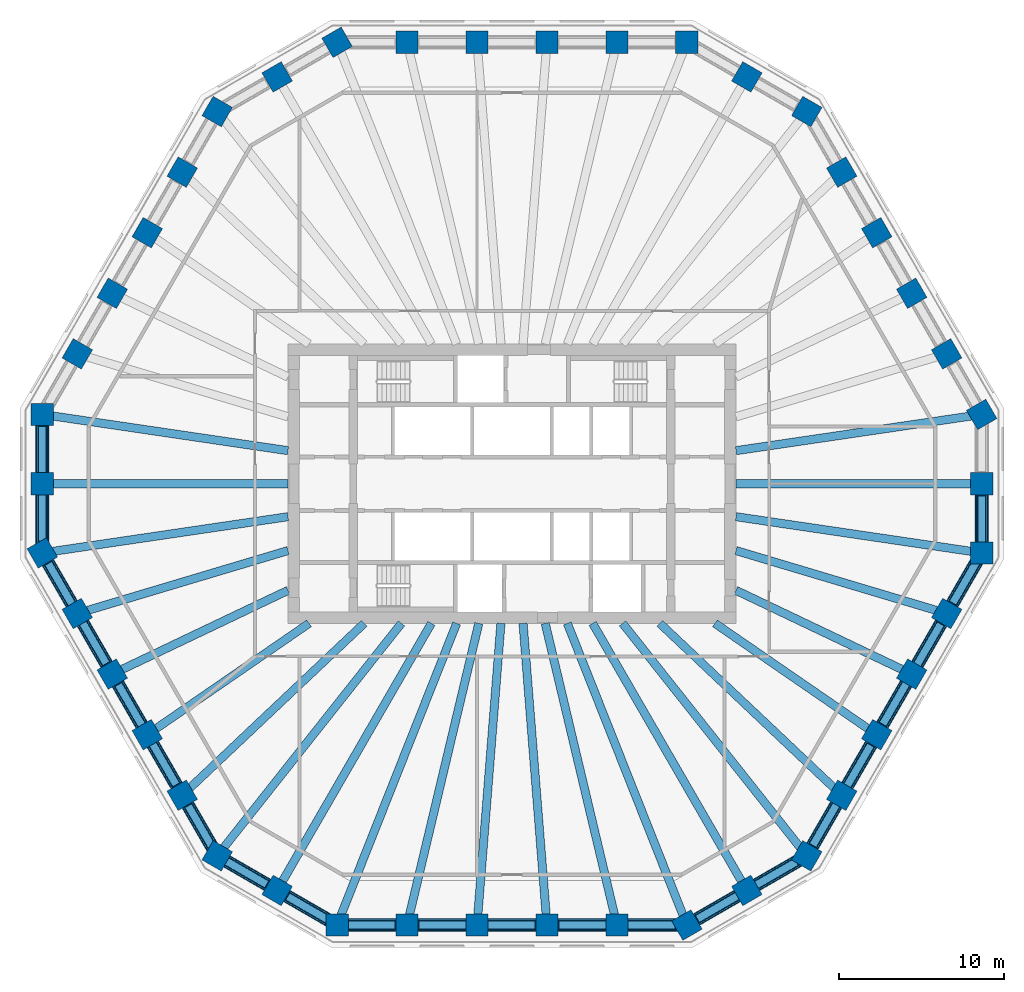
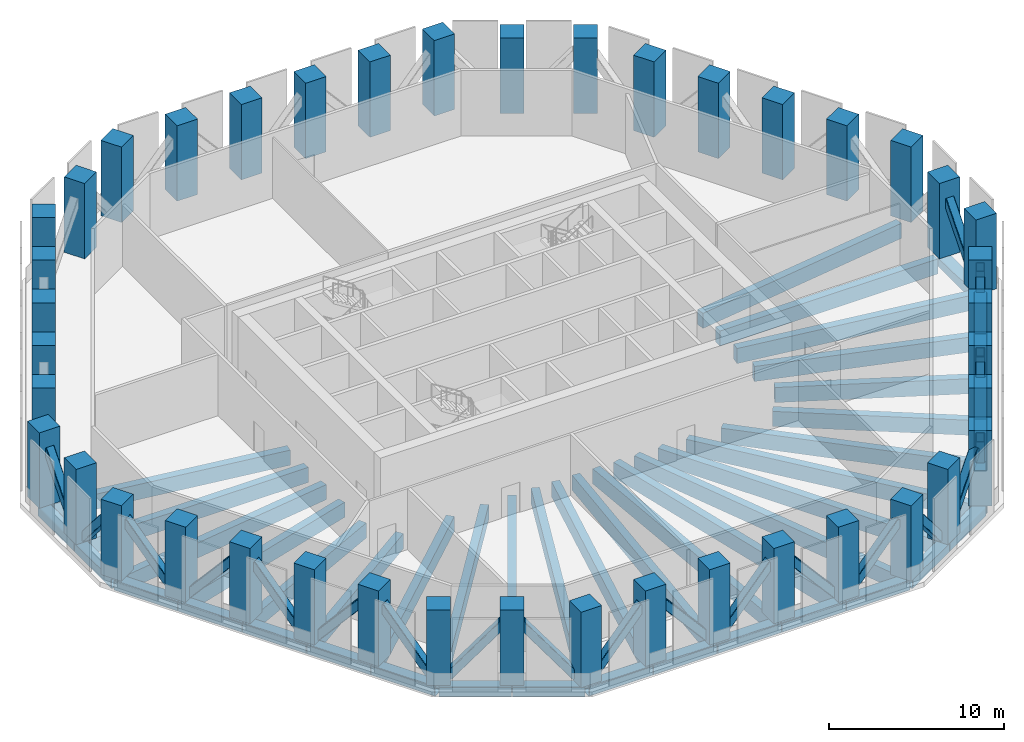
# One storey, part 1 of 8: 46 beams, 42 columns, 22 members.
"""IFC4 building model written with IfcOpenShell, lengths in metres."""

import ifcopenshell
import ifcopenshell.guid

model = None  # the IFC model being written
_history = None  # IfcOwnerHistory: only IFC2X3 demands one
_inside = {}  # id of a spatial element -> (the spatial element, [elements in it])
_under = {}  # id of a project, library or spatial element -> (it, [spatial elements below it])
_declared = {}  # id of a project -> (the project, [libraries it declares])
_typed = {}  # id of a type object -> (the type object, [elements of that type])
_made_of = {}  # id of a material, layer set ... -> (it, [elements and type objects made of it])


def new_model(schema):
    """Start an empty IFC model of exactly this schema.

    Asked for "IFC4X3", IfcOpenShell would pick the latest addendum, in which some entities
    have other attributes; the version numbers below select the first issue.
    IFC2X3 requires an IfcOwnerHistory on every rooted entity: one is made here for all.
    """
    global model, _history
    if schema == "IFC4X3":
        model = ifcopenshell.file(schema_version=(4, 3, 0, 0))
    else:
        model = ifcopenshell.file(schema=schema)
    _inside.clear()
    _under.clear()
    _declared.clear()
    _typed.clear()
    _made_of.clear()
    _history = None
    if model.schema == "IFC2X3":
        org = make("IfcOrganization", Name="unknown")
        user = make(
            "IfcPersonAndOrganization",
            ThePerson=make("IfcPerson", FamilyName="unknown"),
            TheOrganization=org,
        )
        app = make(
            "IfcApplication",
            ApplicationDeveloper=org,
            Version="unknown",
            ApplicationFullName="unknown",
            ApplicationIdentifier="unknown",
        )
        _history = make(
            "IfcOwnerHistory",
            OwningUser=user,
            OwningApplication=app,
            ChangeAction="ADDED",
            CreationDate=0,
        )
    return model


def make(cls, **values):
    """One entity of the class cls with the attributes given. An attribute that is None is left unset."""
    return model.create_entity(
        cls, **{name: value for name, value in values.items() if value is not None}
    )


def rooted(cls, **values):
    """An entity with a GlobalId (a new one), such as an element, a storey or a relation."""
    return make(cls, GlobalId=ifcopenshell.guid.new(), OwnerHistory=_history, **values)


def si_unit(unit_type, name, prefix=None):
    """IfcSIUnit, for example si_unit("LENGTHUNIT", "METRE", prefix="MILLI")."""
    return make("IfcSIUnit", UnitType=unit_type, Prefix=prefix, Name=name)


def assignment(units):
    """IfcUnitAssignment: the units of a project."""
    return None if units is None else make("IfcUnitAssignment", Units=units)


def point(xyz):
    """IfcCartesianPoint."""
    return None if xyz is None else make("IfcCartesianPoint", Coordinates=xyz)


def direction(xyz):
    """IfcDirection."""
    return None if xyz is None else make("IfcDirection", DirectionRatios=xyz)


def frame(location, z_axis=None, x_axis=None):
    """IfcAxis2Placement3D, a coordinate frame: its origin and axes. An axis left out is left unset."""
    return make(
        "IfcAxis2Placement3D",
        Location=point(location),
        Axis=direction(z_axis),
        RefDirection=direction(x_axis),
    )


def frame_2d(location, x_axis=None):
    """IfcAxis2Placement2D, a coordinate frame in the plane: its origin and x axis."""
    return make(
        "IfcAxis2Placement2D", Location=point(location), RefDirection=direction(x_axis)
    )


def origin():
    """The frame at (0, 0, 0) with its axes left unset."""
    return frame((0.0, 0.0, 0.0))


def origin_2d():
    """The frame at (0, 0) in the plane with its x axis left unset."""
    return frame_2d((0.0, 0.0))


def place(relative_to, where):
    """IfcLocalPlacement: puts the frame where relative to a parent placement (None: the world)."""
    return make(
        "IfcLocalPlacement", PlacementRelTo=relative_to, RelativePlacement=where
    )


def context(
    kind, dimensions, precision=None, world=None, true_north=None, identifier=None
):
    """IfcGeometricRepresentationContext, for example the 3D "Model" context."""
    return make(
        "IfcGeometricRepresentationContext",
        ContextIdentifier=identifier,
        ContextType=kind,
        CoordinateSpaceDimension=dimensions,
        Precision=precision,
        WorldCoordinateSystem=world,
        TrueNorth=true_north,
    )


def subcontext(parent, identifier, kind, view, scale=None):
    """IfcGeometricRepresentationSubContext, for example "Body" below "Model"."""
    return make(
        "IfcGeometricRepresentationSubContext",
        ContextIdentifier=identifier,
        ContextType=kind,
        ParentContext=parent,
        TargetScale=scale,
        TargetView=view,
    )


def project(units=None, contexts=None):
    """IfcProject with its units and contexts."""
    return rooted(
        "IfcProject",
        Name="project",
        RepresentationContexts=contexts,
        UnitsInContext=assignment(units),
    )


def spatial(cls, under=None, at=None, **own):
    """A site, building, storey or space (cls), placed at a placement, below another one or the project."""
    s = rooted(cls, ObjectPlacement=at, **own)
    if under is not None:
        _under.setdefault(under.id(), (under, []))[1].append(s)
    return s


def profile(cls, at=None, kind="AREA", **sizes):
    """A parametric profile (cls). Its sizes go by their IFC names, for example OverallWidth=200.0."""
    return make(cls, ProfileType=kind, Position=at, **sizes)


def rectangle(**sizes):
    """IfcRectangleProfileDef."""
    return profile("IfcRectangleProfileDef", **sizes)


def hollow_rectangle(**sizes):
    """IfcRectangleHollowProfileDef."""
    return profile("IfcRectangleHollowProfileDef", **sizes)


def extrude(swept, where, along, depth):
    """IfcExtrudedAreaSolid: the profile swept, set in the frame where, extruded along a direction by depth."""
    return make(
        "IfcExtrudedAreaSolid",
        SweptArea=swept,
        Position=where,
        ExtrudedDirection=direction(along),
        Depth=depth,
    )


def shape(context_of_items, identifier, shape_type, items):
    """IfcShapeRepresentation: the items that make up one representation, for example the "Body"."""
    return make(
        "IfcShapeRepresentation",
        ContextOfItems=context_of_items,
        RepresentationIdentifier=identifier,
        RepresentationType=shape_type,
        Items=items,
    )


def material(Name=None, Category=None):
    """IfcMaterial."""
    return make("IfcMaterial", Name=Name, Category=Category)


def material_profile(
    of_material, cross_section, Name=None, Category=None, Priority=None
):
    """IfcMaterialProfile: a cross section and its material."""
    return make(
        "IfcMaterialProfile",
        Name=Name,
        Material=of_material,
        Profile=cross_section,
        Priority=Priority,
        Category=Category,
    )


def profile_set(profiles, Name=None, composite=None):
    """IfcMaterialProfileSet."""
    return make(
        "IfcMaterialProfileSet",
        Name=Name,
        MaterialProfiles=profiles,
        CompositeProfile=composite,
    )


def made_of(thing, what):
    """Note that an element or type object is made of a material, layer set ...; save() writes the relation."""
    if what is not None:
        _made_of.setdefault(what.id(), (what, []))[1].append(thing)
    return thing


def type_object(cls, material=None, **own):
    """A type object (cls), such as IfcWallType, which elements share."""
    return made_of(rooted(cls, **own), material)


def element(
    cls,
    number,
    at=None,
    inside=None,
    cuts=None,
    type_object=None,
    material=None,
    context=None,
    identifier="Body",
    shape_type=None,
    held_by="IfcProductDefinitionShape",
    body=None,
    shapes=None,
    **own,
):
    """One element of the class cls, such as IfcWall. Its Tag is "e" and its number.

    at: its placement. inside: the storey or other place that contains it. cuts: it is an
    opening in that element (IfcRelVoidsElement). A single representation is given by context,
    identifier, shape_type and body (its items); several are given by shapes. held_by: the class
    of the entity that holds the representations. save() writes the other relations.
    """
    e = rooted(cls, Tag="e%d" % number, ObjectPlacement=at, **own)
    if body is not None:
        shapes = [shape(context, identifier, shape_type, body)]
    if shapes is not None:
        e.Representation = make(held_by, Representations=shapes)
    if inside is not None:
        _inside.setdefault(inside.id(), (inside, []))[1].append(e)
    if cuts is not None:
        rooted(
            "IfcRelVoidsElement", RelatingBuildingElement=cuts, RelatedOpeningElement=e
        )
    if type_object is not None:
        _typed.setdefault(type_object.id(), (type_object, []))[1].append(e)
    return made_of(e, material)


def aggregate(whole, parts):
    """IfcRelAggregates: a whole, such as a stair, and the parts it consists of."""
    return rooted("IfcRelAggregates", RelatingObject=whole, RelatedObjects=parts)


def save(model, path):
    """Write the relations noted so far, then the file.

    IfcRelAggregates (storeys below a building ...), IfcRelContainedInSpatialStructure (elements
    in a storey), IfcRelDefinesByType, IfcRelAssociatesMaterial and IfcRelDeclares: one each for
    every whole, place, type object, material and project.
    """
    for whole, parts in _under.values():
        aggregate(whole, parts)
    for where, things in _inside.values():
        rooted(
            "IfcRelContainedInSpatialStructure",
            RelatedElements=things,
            RelatingStructure=where,
        )
    for kind, things in _typed.values():
        rooted("IfcRelDefinesByType", RelatedObjects=things, RelatingType=kind)
    for what, things in _made_of.values():
        rooted("IfcRelAssociatesMaterial", RelatedObjects=things, RelatingMaterial=what)
    for by, libraries in _declared.values():
        rooted("IfcRelDeclares", RelatingContext=by, RelatedDefinitions=libraries)
    model.write(path)


model = new_model("IFC4")

# Units and contexts
model_context = context("Model", 3, precision=1e-05, world=origin(), true_north=direction((0.0, 1.0)))
body_context = subcontext(model_context, "Body", "Model", "MODEL_VIEW")
ifc_project = project(units=[si_unit("LENGTHUNIT", "METRE"), si_unit("AREAUNIT", "SQUARE_METRE"), si_unit("VOLUMEUNIT", "CUBIC_METRE"), si_unit("PLANEANGLEUNIT", "RADIAN"), si_unit("MASSUNIT", "GRAM", prefix="KILO")], contexts=[model_context])

# Site, building, storey
site_placement = place(None, origin())
site = spatial("IfcSite", under=ifc_project, at=site_placement, CompositionType="ELEMENT")
building_placement = place(site_placement, origin())
building = spatial("IfcBuilding", under=site, at=building_placement, Name="Frailejon Research Tower", CompositionType="ELEMENT")
storey_placement = place(building_placement, frame((0.0, 0.0, 139.60009765625)))
storey = spatial("IfcBuildingStorey", under=building, at=storey_placement, Name="L30", CompositionType="ELEMENT", Elevation=139.60009765625)

# Columns
ifc_material_1 = material(Name="Concrete C70/85", Category="concrete")
ifc_material_profile_1 = material_profile(ifc_material_1, rectangle(XDim=1.35009765625, YDim=1.35009765625, at=origin_2d()), Name="Column 1350")
ifc_profile_set_1 = profile_set([ifc_material_profile_1], Name="Concrete C70/85")
column_type = type_object("IfcColumnType", Name="Column 1350", PredefinedType="COLUMN", material=ifc_profile_set_1)
for number, where, z_axis, x_axis, name in (
    (1, (28.412841796875, -4.1875, 0.0), (0.0, 0.0, 1.0), (0.0, 1.0, 0.0), "Column C01"),
    (2, (28.412841796875, 0.0, 0.0), (0.0, 0.0, 1.0), (0.0, 1.0, 0.0), "Column C02"),
    (3, (28.412841796875, 4.1875, 0.0), (0.0, 0.0, 1.0), (-0.5, 0.866025403784, 0.0), "Column C03"),
    (4, (26.296875, 7.8525390625, 0.0), (0.0, 0.0, 1.0), (-0.5, 0.866025403784, 0.0), "Column C04"),
    (5, (24.180908203125, 11.517578125, 0.0), (0.0, 0.0, 1.0), (-0.5, 0.866025403784, 0.0), "Column C05"),
    (6, (22.06494140625, 15.1826171875, 0.0), (0.0, 0.0, 1.0), (-0.5, 0.866025403784, 0.0), "Column C06"),
    (7, (19.948974609375, 18.847412109375, 0.0), (0.0, 0.0, 1.0), (-0.5, 0.866025403784, 0.0), "Column C07"),
    (8, (17.8330078125, 22.512451171875, 0.0), (0.0, 0.0, 1.0), (-0.866025403784, 0.5, 0.0), "Column C08"),
    (9, (14.206298828125, 24.606201171875, 0.0), (0.0, 0.0, 1.0), (-0.866025403784, 0.5, 0.0), "Column C09"),
    (10, (10.579833984375, 26.699951171875, 0.0), (0.0, 0.0, 1.0), (-1.0, 0.0, 0.0), "Column C10"),
    (11, (6.347900390625, 26.699951171875, 0.0), (0.0, 0.0, 1.0), (-1.0, 0.0, 0.0), "Column C11"),
    (12, (2.115966796875, 26.699951171875, 0.0), (0.0, 0.0, 1.0), (-1.0, 0.0, 0.0), "Column C12"),
    (13, (-2.115966796875, 26.699951171875, 0.0), (0.0, 0.0, 1.0), (-1.0, 0.0, 0.0), "Column C13"),
    (14, (-6.347900390625, 26.699951171875, 0.0), (0.0, 0.0, 1.0), (-1.0, 0.0, 0.0), "Column C14"),
    (15, (-10.579833984375, 26.699951171875, 0.0), (0.0, 0.0, 1.0), (-0.866025403784, -0.5, 0.0), "Column C15"),
    (16, (-14.206298828125, 24.606201171875, 0.0), (0.0, 0.0, 1.0), (-0.866025403784, -0.5, 0.0), "Column C16"),
    (17, (-17.8330078125, 22.512451171875, 0.0), (0.0, 0.0, 1.0), (-0.5, -0.866025403784, 0.0), "Column C17"),
    (18, (-19.948974609375, 18.847412109375, 0.0), (0.0, 0.0, 1.0), (-0.5, -0.866025403784, 0.0), "Column C18"),
    (19, (-22.06494140625, 15.1826171875, 0.0), (0.0, 0.0, 1.0), (-0.5, -0.866025403784, 0.0), "Column C19"),
    (20, (-24.180908203125, 11.517578125, 0.0), (0.0, 0.0, 1.0), (-0.5, -0.866025403784, 0.0), "Column C20"),
    (21, (-26.296875, 7.8525390625, 0.0), (0.0, 0.0, 1.0), (-0.5, -0.866025403784, 0.0), "Column C21"),
    (22, (-28.412841796875, 4.1875, 0.0), (0.0, 0.0, 1.0), (0.0, -1.0, 0.0), "Column C22"),
    (23, (-28.412841796875, 0.0, 0.0), (0.0, 0.0, 1.0), (0.0, -1.0, 0.0), "Column C23"),
    (24, (-28.412841796875, -4.1875, 0.0), (0.0, 0.0, 1.0), (0.5, -0.866025403784, 0.0), "Column C24"),
    (25, (-26.296875, -7.8525390625, 0.0), (0.0, 0.0, 1.0), (0.5, -0.866025403784, 0.0), "Column C25"),
    (26, (-24.180908203125, -11.517578125, 0.0), (0.0, 0.0, 1.0), (0.5, -0.866025403784, 0.0), "Column C26"),
    (27, (-22.06494140625, -15.1826171875, 0.0), (0.0, 0.0, 1.0), (0.5, -0.866025403784, 0.0), "Column C27"),
    (28, (-19.948974609375, -18.847412109375, 0.0), (0.0, 0.0, 1.0), (0.5, -0.866025403784, 0.0), "Column C28"),
    (29, (-17.8330078125, -22.512451171875, 0.0), (0.0, 0.0, 1.0), (0.866025403784, -0.5, 0.0), "Column C29"),
    (30, (-14.206298828125, -24.606201171875, 0.0), (0.0, 0.0, 1.0), (0.866025403784, -0.5, 0.0), "Column C30"),
    (31, (-10.579833984375, -26.699951171875, 0.0), (0.0, 0.0, 1.0), (1.0, 0.0, 0.0), "Column C31"),
    (32, (-6.347900390625, -26.699951171875, 0.0), (0.0, 0.0, 1.0), (1.0, 0.0, 0.0), "Column C32"),
    (33, (-2.115966796875, -26.699951171875, 0.0), (0.0, 0.0, 1.0), (1.0, 0.0, 0.0), "Column C33"),
    (34, (2.115966796875, -26.699951171875, 0.0), (0.0, 0.0, 1.0), (1.0, 0.0, 0.0), "Column C34"),
    (35, (6.347900390625, -26.699951171875, 0.0), (0.0, 0.0, 1.0), (1.0, 0.0, 0.0), "Column C35"),
    (36, (10.579833984375, -26.699951171875, 0.0), (0.0, 0.0, 1.0), (0.866025403784, 0.5, 0.0), "Column C36"),
    (37, (14.206298828125, -24.606201171875, 0.0), (0.0, 0.0, 1.0), (0.866025403784, 0.5, 0.0), "Column C37"),
    (38, (17.8330078125, -22.512451171875, 0.0), (0.0, 0.0, 1.0), (0.5, 0.866025403784, 0.0), "Column C38"),
    (39, (19.948974609375, -18.847412109375, 0.0), (0.0, 0.0, 1.0), (0.5, 0.866025403784, 0.0), "Column C39"),
    (40, (22.06494140625, -15.1826171875, 0.0), (0.0, 0.0, 1.0), (0.5, 0.866025403784, 0.0), "Column C40"),
    (41, (24.180908203125, -11.517578125, 0.0), (0.0, 0.0, 1.0), (0.5, 0.866025403784, 0.0), "Column C41"),
    (42, (26.296875, -7.8525390625, 0.0), (0.0, 0.0, 1.0), (0.5, 0.866025403784, 0.0), "Column C42"),
):
    element("IfcColumn", number, at=place(storey_placement, frame(where, z_axis=z_axis, x_axis=x_axis)), inside=storey, type_object=column_type, Name=name, PredefinedType="COLUMN", context=body_context, shape_type="SweptSolid", body=[
        extrude(rectangle(XDim=1.35009765625, YDim=1.35009765625, at=origin_2d()), origin(), (0.0, 0.0, 1.0), 5.25),
    ])

# Beams
ifc_material_2 = material(Name="Concrete C60/75", Category="concrete")
ifc_material_profile_2 = material_profile(ifc_material_2, rectangle(XDim=0.5, YDim=1.050048828125, at=origin_2d()), Name="Girder 500x1050")
ifc_profile_set_2 = profile_set([ifc_material_profile_2], Name="Concrete C60/75")
beam_type_1 = type_object("IfcBeamType", Name="Girder 500x1050", PredefinedType="BEAM", material=ifc_profile_set_2)
beam_1_placement = place(storey_placement, frame((27.88623046875, -4.110107421875, -0.8251953125), z_axis=(-0.989311649696, 0.145816527786, 0.0), x_axis=(-0.145816527786, -0.989311649696, 0.0)))
element("IfcBeam", 43, at=beam_1_placement, inside=storey, type_object=beam_type_1, Name="Girder 500x1050", PredefinedType="BEAM", context=body_context, shape_type="SweptSolid", body=[
    extrude(rectangle(XDim=0.5, YDim=1.050048828125, at=origin_2d()), origin(), (0.0, 0.0, 1.0), 14.490966796875),
])
beam_2_placement = place(storey_placement, frame((27.8876953125, 0.0, -0.8251953125), z_axis=(-1.0, 0.0, 0.0), x_axis=(0.0, -1.0, 0.0)))
element("IfcBeam", 44, at=beam_2_placement, inside=storey, type_object=beam_type_1, Name="Girder 500x1050", PredefinedType="BEAM", context=body_context, shape_type="SweptSolid", body=[
    extrude(rectangle(XDim=0.5, YDim=1.050048828125, at=origin_2d()), origin(), (0.0, 0.0, 1.0), 14.337646484375),
])
beam_3_placement = place(storey_placement, frame((27.843017578125, 4.103515625, -0.8251953125), z_axis=(-0.989313871927, -0.145801449969, 0.0), x_axis=(0.145801449969, -0.989313871927, 0.0)))
element("IfcBeam", 45, at=beam_3_placement, inside=storey, type_object=beam_type_1, Name="Girder 500x1050", PredefinedType="BEAM", context=body_context, shape_type="SweptSolid", body=[
    extrude(rectangle(XDim=0.5, YDim=1.050048828125, at=origin_2d()), origin(), (0.0, 0.0, 1.0), 14.447265625),
])
beam_4_placement = place(storey_placement, frame((-27.88623046875, 4.110107421875, -0.8251953125), z_axis=(0.989311649696, -0.145816527786, 0.0), x_axis=(0.145816527786, 0.989311649696, 0.0)))
element("IfcBeam", 46, at=beam_4_placement, inside=storey, type_object=beam_type_1, Name="Girder 500x1050", PredefinedType="BEAM", context=body_context, shape_type="SweptSolid", body=[
    extrude(rectangle(XDim=0.5, YDim=1.050048828125, at=origin_2d()), origin(), (0.0, 0.0, 1.0), 14.490966796875),
])
beam_5_placement = place(storey_placement, frame((-27.8876953125, 0.0, -0.8251953125), z_axis=(1.0, 0.0, 0.0), x_axis=(0.0, 1.0, 0.0)))
element("IfcBeam", 47, at=beam_5_placement, inside=storey, type_object=beam_type_1, Name="Girder 500x1050", PredefinedType="BEAM", context=body_context, shape_type="SweptSolid", body=[
    extrude(rectangle(XDim=0.5, YDim=1.050048828125, at=origin_2d()), origin(), (0.0, 0.0, 1.0), 14.337646484375),
])
beam_6_placement = place(storey_placement, frame((-27.843017578125, -4.103515625, -0.8251953125), z_axis=(0.989313871927, 0.145801449969, 0.0), x_axis=(-0.145801449969, 0.989313871927, 0.0)))
element("IfcBeam", 48, at=beam_6_placement, inside=storey, type_object=beam_type_1, Name="Girder 500x1050", PredefinedType="BEAM", context=body_context, shape_type="SweptSolid", body=[
    extrude(rectangle(XDim=0.5, YDim=1.050048828125, at=origin_2d()), origin(), (0.0, 0.0, 1.0), 14.447265625),
])
beam_7_placement = place(storey_placement, frame((-25.775634765625, -7.697021484375, -0.8251953125), z_axis=(0.9581878537, 0.286139890651, 0.0), x_axis=(-0.286139890651, 0.9581878537, 0.0)))
element("IfcBeam", 49, at=beam_7_placement, inside=storey, type_object=beam_type_1, Name="Girder 500x1050", PredefinedType="BEAM", context=body_context, shape_type="SweptSolid", body=[
    extrude(rectangle(XDim=0.5, YDim=1.050048828125, at=origin_2d()), origin(), (0.0, 0.0, 1.0), 12.759033203125),
])
beam_8_placement = place(storey_placement, frame((-23.705078125, -11.290771484375, -0.8251953125), z_axis=(0.902819592178, 0.430019515813, 0.0), x_axis=(-0.430019515813, 0.902819592178, 0.0)))
element("IfcBeam", 50, at=beam_8_placement, inside=storey, type_object=beam_type_1, Name="Girder 500x1050", PredefinedType="BEAM", context=body_context, shape_type="SweptSolid", body=[
    extrude(rectangle(XDim=0.5, YDim=1.050048828125, at=origin_2d()), origin(), (0.0, 0.0, 1.0), 11.248046875),
])
beam_9_placement = place(storey_placement, frame((-21.630615234375, -14.8837890625, -0.8251953125), z_axis=(0.82380963272, 0.566866553112, 0.0), x_axis=(-0.566866553112, 0.82380963272, 0.0)))
element("IfcBeam", 51, at=beam_9_placement, inside=storey, type_object=beam_type_1, Name="Girder 500x1050", PredefinedType="BEAM", context=body_context, shape_type="SweptSolid", body=[
    extrude(rectangle(XDim=0.5, YDim=1.050048828125, at=origin_2d()), origin(), (0.0, 0.0, 1.0), 11.349853515625),
])
beam_10_placement = place(storey_placement, frame((-19.5537109375, -18.47412109375, -0.8251953125), z_axis=(0.726885115271, 0.686759076531, 0.0), x_axis=(-0.686759076531, 0.726885115271, 0.0)))
element("IfcBeam", 52, at=beam_10_placement, inside=storey, type_object=beam_type_1, Name="Girder 500x1050", PredefinedType="BEAM", context=body_context, shape_type="SweptSolid", body=[
    extrude(rectangle(XDim=0.5, YDim=1.050048828125, at=origin_2d()), origin(), (0.0, 0.0, 1.0), 14.596435546875),
])
beam_11_placement = place(storey_placement, frame((-17.50244140625, -22.09521484375, -0.8251953125), z_axis=(0.620926719601, 0.783868617107, 0.0), x_axis=(-0.783868617107, 0.620926719601, 0.0)))
element("IfcBeam", 53, at=beam_11_placement, inside=storey, type_object=beam_type_1, Name="Girder 500x1050", PredefinedType="BEAM", context=body_context, shape_type="SweptSolid", body=[
    extrude(rectangle(XDim=0.5, YDim=1.050048828125, at=origin_2d()), origin(), (0.0, 0.0, 1.0), 17.407470703125),
])
beam_12_placement = place(storey_placement, frame((-13.94384765625, -24.151611328125, -0.8251953125), z_axis=(0.499992877875, 0.866029515706, 0.0), x_axis=(-0.866029515706, 0.499992877875, 0.0)))
element("IfcBeam", 54, at=beam_12_placement, inside=storey, type_object=beam_type_1, Name="Girder 500x1050", PredefinedType="BEAM", context=body_context, shape_type="SweptSolid", body=[
    extrude(rectangle(XDim=0.5, YDim=1.050048828125, at=origin_2d()), origin(), (0.0, 0.0, 1.0), 18.130615234375),
])
beam_13_placement = place(storey_placement, frame((-10.36767578125, -26.16455078125, -0.8251953125), z_axis=(0.36837774058, 0.929676201828, 0.0), x_axis=(-0.929676201828, 0.36837774058, 0.0)))
element("IfcBeam", 55, at=beam_13_placement, inside=storey, type_object=beam_type_1, Name="Girder 500x1050", PredefinedType="BEAM", context=body_context, shape_type="SweptSolid", body=[
    extrude(rectangle(XDim=0.5, YDim=1.050048828125, at=origin_2d()), origin(), (0.0, 0.0, 1.0), 19.0546875),
])
beam_14_placement = place(storey_placement, frame((-6.22216796875, -26.1708984375, -0.8251953125), z_axis=(0.231301595685, 0.972882095546, 0.0), x_axis=(-0.972882095546, 0.231301595685, 0.0)))
element("IfcBeam", 56, at=beam_14_placement, inside=storey, type_object=beam_type_1, Name="Girder 500x1050", PredefinedType="BEAM", context=body_context, shape_type="SweptSolid", body=[
    extrude(rectangle(XDim=0.5, YDim=1.050048828125, at=origin_2d()), origin(), (0.0, 0.0, 1.0), 18.21484375),
])
for number, where, z_axis, x_axis, name in (
    (57, (-2.074462890625, -26.174560546875, -0.8251953125), (0.079008439283, 0.996873947158, 0.0), (-0.996873947158, 0.079008439283, 0.0), "Girder 500x1050"),
    (58, (2.074462890625, -26.174560546875, -0.8251953125), (-0.079008439283, 0.996873947158, 0.0), (-0.996873947158, -0.079008439283, 0.0), "Girder 500x1050"),
):
    element("IfcBeam", number, at=place(storey_placement, frame(where, z_axis=z_axis, x_axis=x_axis)), inside=storey, type_object=beam_type_1, Name=name, PredefinedType="BEAM", context=body_context, shape_type="SweptSolid", body=[
        extrude(rectangle(XDim=0.5, YDim=1.050048828125, at=origin_2d()), origin(), (0.0, 0.0, 1.0), 17.7802734375),
    ])
beam_15_placement = place(storey_placement, frame((6.22216796875, -26.1708984375, -0.8251953125), z_axis=(-0.231301595685, 0.972882095546, 0.0), x_axis=(-0.972882095546, -0.231301595685, 0.0)))
element("IfcBeam", 59, at=beam_15_placement, inside=storey, type_object=beam_type_1, Name="Girder 500x1050", PredefinedType="BEAM", context=body_context, shape_type="SweptSolid", body=[
    extrude(rectangle(XDim=0.5, YDim=1.050048828125, at=origin_2d()), origin(), (0.0, 0.0, 1.0), 18.21484375),
])
beam_16_placement = place(storey_placement, frame((10.3837890625, -26.205078125, -0.8251953125), z_axis=(-0.368380211647, 0.929675222681, 0.0), x_axis=(-0.929675222681, -0.368380211647, 0.0)))
element("IfcBeam", 60, at=beam_16_placement, inside=storey, type_object=beam_type_1, Name="Girder 500x1050", PredefinedType="BEAM", context=body_context, shape_type="SweptSolid", body=[
    extrude(rectangle(XDim=0.5, YDim=1.050048828125, at=origin_2d()), origin(), (0.0, 0.0, 1.0), 19.09814453125),
])
beam_17_placement = place(storey_placement, frame((13.94384765625, -24.151611328125, -0.8251953125), z_axis=(-0.499992877875, 0.866029515706, 0.0), x_axis=(-0.866029515706, -0.499992877875, 0.0)))
element("IfcBeam", 61, at=beam_17_placement, inside=storey, type_object=beam_type_1, Name="Girder 500x1050", PredefinedType="BEAM", context=body_context, shape_type="SweptSolid", body=[
    extrude(rectangle(XDim=0.5, YDim=1.050048828125, at=origin_2d()), origin(), (0.0, 0.0, 1.0), 18.130615234375),
])
beam_18_placement = place(storey_placement, frame((17.47509765625, -22.060791015625, -0.8251953125), z_axis=(-0.620924045573, 0.78387073528, 0.0), x_axis=(-0.78387073528, -0.620924045573, 0.0)))
element("IfcBeam", 62, at=beam_18_placement, inside=storey, type_object=beam_type_1, Name="Girder 500x1050", PredefinedType="BEAM", context=body_context, shape_type="SweptSolid", body=[
    extrude(rectangle(XDim=0.5, YDim=1.050048828125, at=origin_2d()), origin(), (0.0, 0.0, 1.0), 17.363525390625),
])
beam_19_placement = place(storey_placement, frame((19.5537109375, -18.47412109375, -0.8251953125), z_axis=(-0.726885115271, 0.686759076531, 0.0), x_axis=(-0.686759076531, -0.726885115271, 0.0)))
element("IfcBeam", 63, at=beam_19_placement, inside=storey, type_object=beam_type_1, Name="Girder 500x1050", PredefinedType="BEAM", context=body_context, shape_type="SweptSolid", body=[
    extrude(rectangle(XDim=0.5, YDim=1.050048828125, at=origin_2d()), origin(), (0.0, 0.0, 1.0), 14.596435546875),
])
beam_20_placement = place(storey_placement, frame((21.630615234375, -14.8837890625, -0.8251953125), z_axis=(-0.82380963272, 0.566866553112, 0.0), x_axis=(-0.566866553112, -0.82380963272, 0.0)))
element("IfcBeam", 64, at=beam_20_placement, inside=storey, type_object=beam_type_1, Name="Girder 500x1050", PredefinedType="BEAM", context=body_context, shape_type="SweptSolid", body=[
    extrude(rectangle(XDim=0.5, YDim=1.050048828125, at=origin_2d()), origin(), (0.0, 0.0, 1.0), 11.349853515625),
])
beam_21_placement = place(storey_placement, frame((23.705078125, -11.290771484375, -0.8251953125), z_axis=(-0.902819592178, 0.430019515813, 0.0), x_axis=(-0.430019515813, -0.902819592178, 0.0)))
element("IfcBeam", 65, at=beam_21_placement, inside=storey, type_object=beam_type_1, Name="Girder 500x1050", PredefinedType="BEAM", context=body_context, shape_type="SweptSolid", body=[
    extrude(rectangle(XDim=0.5, YDim=1.050048828125, at=origin_2d()), origin(), (0.0, 0.0, 1.0), 11.248046875),
])
beam_22_placement = place(storey_placement, frame((25.775634765625, -7.697021484375, -0.8251953125), z_axis=(-0.9581878537, 0.286139890651, 0.0), x_axis=(-0.286139890651, -0.9581878537, 0.0)))
element("IfcBeam", 66, at=beam_22_placement, inside=storey, type_object=beam_type_1, Name="Girder 500x1050", PredefinedType="BEAM", context=body_context, shape_type="SweptSolid", body=[
    extrude(rectangle(XDim=0.5, YDim=1.050048828125, at=origin_2d()), origin(), (0.0, 0.0, 1.0), 12.759033203125),
])
ifc_material_3 = material(Name="Steel S355", Category="steel")
ifc_material_profile_3 = material_profile(ifc_material_3, hollow_rectangle(XDim=0.800048828125, YDim=0.699951171875, WallThickness=0.050048828125, InnerFilletRadius=0.050048828125, OuterFilletRadius=0.10009765625, at=origin_2d()), Name="Ring chord")
ifc_profile_set_3 = profile_set([ifc_material_profile_3], Name="Steel S355")
beam_type_2 = type_object("IfcBeamType", Name="Ring chord", PredefinedType="BEAM", material=ifc_profile_set_3)
for number, where, z_axis, x_axis, name in (
    (67, (28.412841796875, -4.16748046875, -0.7001953125), (0.0, 1.0, 0.0), (-1.0, 0.0, 0.0), "Ring chord"),
    (68, (-28.412841796875, 4.16748046875, -0.7001953125), (0.0, -1.0, 0.0), (1.0, 0.0, 0.0), "Ring chord"),
    (69, (-28.412841796875, -0.02001953125, -0.7001953125), (0.0, -1.0, 0.0), (1.0, 0.0, 0.0), "Ring chord"),
):
    element("IfcBeam", number, at=place(storey_placement, frame(where, z_axis=z_axis, x_axis=x_axis)), inside=storey, type_object=beam_type_2, Name=name, PredefinedType="BEAM", context=body_context, shape_type="SweptSolid", body=[
        extrude(hollow_rectangle(XDim=0.800048828125, YDim=0.699951171875, WallThickness=0.050048828125, InnerFilletRadius=0.050048828125, OuterFilletRadius=0.10009765625, at=origin_2d()), origin(), (0.0, 0.0, 1.0), 4.1474609375),
    ])
for number, where, z_axis, x_axis, name in (
    (70, (-28.40283203125, -4.204833984375, -0.7001953125), (0.499991329354, -0.866030409726, 0.0), (0.866030409726, 0.499991329354, 0.0), "Ring chord"),
    (71, (-26.286865234375, -7.869873046875, -0.7001953125), (0.499991329354, -0.866030409726, 0.0), (0.866030409726, 0.499991329354, 0.0), "Ring chord"),
    (72, (-24.1708984375, -11.534912109375, -0.7001953125), (0.499991329354, -0.866030409726, 0.0), (0.866030409726, 0.499991329354, 0.0), "Ring chord"),
    (73, (-22.054931640625, -15.19970703125, -0.7001953125), (0.499991329354, -0.866030409726, 0.0), (0.866030409726, 0.499991329354, 0.0), "Ring chord"),
    (74, (-19.93896484375, -18.86474609375, -0.7001953125), (0.499991329354, -0.866030409726, 0.0), (0.866030409726, 0.499991329354, 0.0), "Ring chord"),
):
    element("IfcBeam", number, at=place(storey_placement, frame(where, z_axis=z_axis, x_axis=x_axis)), inside=storey, type_object=beam_type_2, Name=name, PredefinedType="BEAM", context=body_context, shape_type="SweptSolid", body=[
        extrude(hollow_rectangle(XDim=0.800048828125, YDim=0.699951171875, WallThickness=0.050048828125, InnerFilletRadius=0.050048828125, OuterFilletRadius=0.10009765625, at=origin_2d()), origin(), (0.0, 0.0, 1.0), 4.19189453125),
    ])
for number, where, z_axis, x_axis, name in (
    (75, (-17.815673828125, -22.5224609375, -0.7001953125), (0.866039536849, -0.499975520016, 0.0), (0.499975520016, 0.866039536849, 0.0), "Ring chord"),
    (76, (-14.189208984375, -24.6162109375, -0.7001953125), (0.866039536849, -0.499975520016, 0.0), (0.499975520016, 0.866039536849, 0.0), "Ring chord"),
):
    element("IfcBeam", number, at=place(storey_placement, frame(where, z_axis=z_axis, x_axis=x_axis)), inside=storey, type_object=beam_type_2, Name=name, PredefinedType="BEAM", context=body_context, shape_type="SweptSolid", body=[
        extrude(hollow_rectangle(XDim=0.800048828125, YDim=0.699951171875, WallThickness=0.050048828125, InnerFilletRadius=0.050048828125, OuterFilletRadius=0.10009765625, at=origin_2d()), origin(), (0.0, 0.0, 1.0), 4.147705078125),
    ])
for number, where, z_axis, x_axis, name in (
    (77, (-10.559814453125, -26.699951171875, -0.7001953125), (1.0, 0.0, 0.0), (0.0, 1.0, 0.0), "Ring chord"),
    (78, (-6.327880859375, -26.699951171875, -0.7001953125), (1.0, 0.0, 0.0), (0.0, 1.0, 0.0), "Ring chord"),
    (79, (-2.095947265625, -26.699951171875, -0.7001953125), (1.0, 0.0, 0.0), (0.0, 1.0, 0.0), "Ring chord"),
    (80, (2.135986328125, -26.699951171875, -0.7001953125), (1.0, 0.0, 0.0), (0.0, 1.0, 0.0), "Ring chord"),
    (81, (6.367919921875, -26.699951171875, -0.7001953125), (1.0, 0.0, 0.0), (0.0, 1.0, 0.0), "Ring chord"),
):
    element("IfcBeam", number, at=place(storey_placement, frame(where, z_axis=z_axis, x_axis=x_axis)), inside=storey, type_object=beam_type_2, Name=name, PredefinedType="BEAM", context=body_context, shape_type="SweptSolid", body=[
        extrude(hollow_rectangle(XDim=0.800048828125, YDim=0.699951171875, WallThickness=0.050048828125, InnerFilletRadius=0.050048828125, OuterFilletRadius=0.10009765625, at=origin_2d()), origin(), (0.0, 0.0, 1.0), 4.19189453125),
    ])
for number, where, z_axis, x_axis, name in (
    (82, (10.59716796875, -26.68994140625, -0.7001953125), (0.866039536849, 0.499975520016, 0.0), (-0.499975520016, 0.866039536849, 0.0), "Ring chord"),
    (83, (14.2236328125, -24.59619140625, -0.7001953125), (0.866039536849, 0.499975520016, 0.0), (-0.499975520016, 0.866039536849, 0.0), "Ring chord"),
):
    element("IfcBeam", number, at=place(storey_placement, frame(where, z_axis=z_axis, x_axis=x_axis)), inside=storey, type_object=beam_type_2, Name=name, PredefinedType="BEAM", context=body_context, shape_type="SweptSolid", body=[
        extrude(hollow_rectangle(XDim=0.800048828125, YDim=0.699951171875, WallThickness=0.050048828125, InnerFilletRadius=0.050048828125, OuterFilletRadius=0.10009765625, at=origin_2d()), origin(), (0.0, 0.0, 1.0), 4.147705078125),
    ])
for number, where, z_axis, x_axis, name in (
    (84, (17.843017578125, -22.4951171875, -0.7001953125), (0.499991329354, 0.866030409726, 0.0), (-0.866030409726, 0.499991329354, 0.0), "Ring chord"),
    (85, (19.958984375, -18.830078125, -0.7001953125), (0.499991329354, 0.866030409726, 0.0), (-0.866030409726, 0.499991329354, 0.0), "Ring chord"),
    (86, (22.074951171875, -15.165283203125, -0.7001953125), (0.499991329354, 0.866030409726, 0.0), (-0.866030409726, 0.499991329354, 0.0), "Ring chord"),
    (87, (24.19091796875, -11.500244140625, -0.7001953125), (0.499991329354, 0.866030409726, 0.0), (-0.866030409726, 0.499991329354, 0.0), "Ring chord"),
    (88, (26.306884765625, -7.835205078125, -0.7001953125), (0.499991329354, 0.866030409726, 0.0), (-0.866030409726, 0.499991329354, 0.0), "Ring chord"),
):
    element("IfcBeam", number, at=place(storey_placement, frame(where, z_axis=z_axis, x_axis=x_axis)), inside=storey, type_object=beam_type_2, Name=name, PredefinedType="BEAM", context=body_context, shape_type="SweptSolid", body=[
        extrude(hollow_rectangle(XDim=0.800048828125, YDim=0.699951171875, WallThickness=0.050048828125, InnerFilletRadius=0.050048828125, OuterFilletRadius=0.10009765625, at=origin_2d()), origin(), (0.0, 0.0, 1.0), 4.19189453125),
    ])

# Members
ifc_material_4 = material(Name="Steel S355", Category="steel")
ifc_material_profile_4 = material_profile(ifc_material_4, hollow_rectangle(XDim=0.550048828125, YDim=0.550048828125, WallThickness=0.034912109375, InnerFilletRadius=0.034912109375, OuterFilletRadius=0.070068359375, at=origin_2d()), Name="Ring diagonal 5600")
ifc_profile_set_4 = profile_set([ifc_material_profile_4], Name="Steel S355")
member_type = type_object("IfcMemberType", Name="Ring diagonal 5600", PredefinedType="BRACE", material=ifc_profile_set_4)
for number, where, z_axis, x_axis, name in (
    (89, (28.412841796875, -3.66259765625, 0.26416015625), (0.0, 0.649691636189, 0.760197854421), (-1.0, 0.0, 0.0), "Ring truss diagonal"),
    (90, (-28.412841796875, 3.66259765625, 3.935546875), (0.0, -0.649691636189, -0.760197854421), (1.0, 0.0, 0.0), "Ring truss diagonal"),
    (91, (-28.412841796875, -0.52490234375, 0.26416015625), (0.0, -0.649691636189, 0.760197854421), (1.0, 0.0, 0.0), "Ring truss diagonal"),
):
    element("IfcMember", number, at=place(storey_placement, frame(where, z_axis=z_axis, x_axis=x_axis)), inside=storey, type_object=member_type, Name=name, PredefinedType="BRACE", context=body_context, shape_type="SweptSolid", body=[
        extrude(hollow_rectangle(XDim=0.550048828125, YDim=0.550048828125, WallThickness=0.034912109375, InnerFilletRadius=0.034912109375, OuterFilletRadius=0.070068359375, at=origin_2d()), origin(), (0.0, 0.0, 1.0), 4.82958984375),
    ])
for number, where, z_axis, x_axis, name in (
    (92, (-28.150390625, -4.642333984375, 3.94189453125), (0.326851214031, -0.566033880859, -0.756818293652), (0.865991350021, 0.500058978211, 0.0), "Ring truss diagonal"),
    (93, (-26.0341796875, -8.30712890625, 0.2578125), (0.326797139383, -0.566077242512, 0.756809213211), (0.866043759497, 0.499968205625, 0.0), "Ring truss diagonal"),
    (94, (-23.91845703125, -11.97216796875, 3.94189453125), (0.326841935149, -0.566067964098, -0.756796808562), (0.866010535501, 0.500025751738, 0.0), "Ring truss diagonal"),
    (95, (-21.802490234375, -15.63720703125, 0.2578125), (0.326841935149, -0.566067964098, 0.756796808562), (0.866010535501, 0.500025751738, 0.0), "Ring truss diagonal"),
):
    element("IfcMember", number, at=place(storey_placement, frame(where, z_axis=z_axis, x_axis=x_axis)), inside=storey, type_object=member_type, Name=name, PredefinedType="BRACE", context=body_context, shape_type="SweptSolid", body=[
        extrude(hollow_rectangle(XDim=0.550048828125, YDim=0.550048828125, WallThickness=0.034912109375, InnerFilletRadius=0.034912109375, OuterFilletRadius=0.070068359375, at=origin_2d()), origin(), (0.0, 0.0, 1.0), 4.867919921875),
    ])
member_1_placement = place(storey_placement, frame((-19.686279296875, -19.30224609375, 3.94189453125), z_axis=(0.326806417297, -0.566043159241, -0.756830699357), x_axis=(0.866024577697, 0.500001430823, 0.0)))
element("IfcMember", 96, at=member_1_placement, inside=storey, type_object=member_type, Name="Ring truss diagonal", PredefinedType="BRACE", context=body_context, shape_type="SweptSolid", body=[
    extrude(hollow_rectangle(XDim=0.550048828125, YDim=0.550048828125, WallThickness=0.034912109375, InnerFilletRadius=0.034912109375, OuterFilletRadius=0.070068359375, at=origin_2d()), origin(), (0.0, 0.0, 1.0), 4.86767578125),
])
for number, where, z_axis, x_axis, name in (
    (97, (-17.378173828125, -22.77490234375, 0.26416015625), (0.562609435645, -0.324856522011, 0.760222903516), (0.500039034646, 0.866002865948, 0.0), "Ring truss diagonal"),
    (98, (-13.751708984375, -24.86865234375, 3.935546875), (0.562609435645, -0.324856522011, -0.760222903516), (0.500039034646, 0.866002865948, 0.0), "Ring truss diagonal"),
):
    element("IfcMember", number, at=place(storey_placement, frame(where, z_axis=z_axis, x_axis=x_axis)), inside=storey, type_object=member_type, Name=name, PredefinedType="BRACE", context=body_context, shape_type="SweptSolid", body=[
        extrude(hollow_rectangle(XDim=0.550048828125, YDim=0.550048828125, WallThickness=0.034912109375, InnerFilletRadius=0.034912109375, OuterFilletRadius=0.070068359375, at=origin_2d()), origin(), (0.0, 0.0, 1.0), 4.829345703125),
    ])
member_2_placement = place(storey_placement, frame((-10.054931640625, -26.699951171875, 0.2578125), z_axis=(0.653669485891, 0.0, 0.75678015514), x_axis=(0.0, 1.0, 0.0)))
element("IfcMember", 99, at=member_2_placement, inside=storey, type_object=member_type, Name="Ring truss diagonal", PredefinedType="BRACE", context=body_context, shape_type="SweptSolid", body=[
    extrude(hollow_rectangle(XDim=0.550048828125, YDim=0.550048828125, WallThickness=0.034912109375, InnerFilletRadius=0.034912109375, OuterFilletRadius=0.070068359375, at=origin_2d()), origin(), (0.0, 0.0, 1.0), 4.8681640625),
])
member_3_placement = place(storey_placement, frame((-5.822998046875, -26.699951171875, 3.94189453125), z_axis=(0.653640762129, 0.0, -0.756804964362), x_axis=(0.0, 1.0, 0.0)))
element("IfcMember", 100, at=member_3_placement, inside=storey, type_object=member_type, Name="Ring truss diagonal", PredefinedType="BRACE", context=body_context, shape_type="SweptSolid", body=[
    extrude(hollow_rectangle(XDim=0.550048828125, YDim=0.550048828125, WallThickness=0.034912109375, InnerFilletRadius=0.034912109375, OuterFilletRadius=0.070068359375, at=origin_2d()), origin(), (0.0, 0.0, 1.0), 4.867919921875),
])
member_4_placement = place(storey_placement, frame((-1.591064453125, -26.699951171875, 0.2578125), z_axis=(0.653669485891, 0.0, 0.75678015514), x_axis=(0.0, 1.0, 0.0)))
element("IfcMember", 101, at=member_4_placement, inside=storey, type_object=member_type, Name="Ring truss diagonal", PredefinedType="BRACE", context=body_context, shape_type="SweptSolid", body=[
    extrude(hollow_rectangle(XDim=0.550048828125, YDim=0.550048828125, WallThickness=0.034912109375, InnerFilletRadius=0.034912109375, OuterFilletRadius=0.070068359375, at=origin_2d()), origin(), (0.0, 0.0, 1.0), 4.8681640625),
])
member_5_placement = place(storey_placement, frame((2.64111328125, -26.699951171875, 3.94189453125), z_axis=(0.653640762129, 0.0, -0.756804964362), x_axis=(0.0, 1.0, 0.0)))
element("IfcMember", 102, at=member_5_placement, inside=storey, type_object=member_type, Name="Ring truss diagonal", PredefinedType="BRACE", context=body_context, shape_type="SweptSolid", body=[
    extrude(hollow_rectangle(XDim=0.550048828125, YDim=0.550048828125, WallThickness=0.034912109375, InnerFilletRadius=0.034912109375, OuterFilletRadius=0.070068359375, at=origin_2d()), origin(), (0.0, 0.0, 1.0), 4.867919921875),
])
member_6_placement = place(storey_placement, frame((6.872802734375, -26.699951171875, 0.2578125), z_axis=(0.653669485891, 0.0, 0.75678015514), x_axis=(0.0, 1.0, 0.0)))
element("IfcMember", 103, at=member_6_placement, inside=storey, type_object=member_type, Name="Ring truss diagonal", PredefinedType="BRACE", context=body_context, shape_type="SweptSolid", body=[
    extrude(hollow_rectangle(XDim=0.550048828125, YDim=0.550048828125, WallThickness=0.034912109375, InnerFilletRadius=0.034912109375, OuterFilletRadius=0.070068359375, at=origin_2d()), origin(), (0.0, 0.0, 1.0), 4.8681640625),
])
for number, where, z_axis, x_axis, name in (
    (104, (11.03466796875, -26.4375, 3.935546875), (0.562609435645, 0.324856522011, -0.760222903516), (-0.500039034646, 0.866002865948, 0.0), "Ring truss diagonal"),
    (105, (14.6611328125, -24.34375, 0.26416015625), (0.562609435645, 0.324856522011, 0.760222903516), (-0.500039034646, 0.866002865948, 0.0), "Ring truss diagonal"),
):
    element("IfcMember", number, at=place(storey_placement, frame(where, z_axis=z_axis, x_axis=x_axis)), inside=storey, type_object=member_type, Name=name, PredefinedType="BRACE", context=body_context, shape_type="SweptSolid", body=[
        extrude(hollow_rectangle(XDim=0.550048828125, YDim=0.550048828125, WallThickness=0.034912109375, InnerFilletRadius=0.034912109375, OuterFilletRadius=0.070068359375, at=origin_2d()), origin(), (0.0, 0.0, 1.0), 4.829345703125),
    ])
member_7_placement = place(storey_placement, frame((18.095458984375, -22.0576171875, 3.94189453125), z_axis=(0.326806417297, 0.566043159241, -0.756830699357), x_axis=(-0.866024577697, 0.500001430823, 0.0)))
element("IfcMember", 106, at=member_7_placement, inside=storey, type_object=member_type, Name="Ring truss diagonal", PredefinedType="BRACE", context=body_context, shape_type="SweptSolid", body=[
    extrude(hollow_rectangle(XDim=0.550048828125, YDim=0.550048828125, WallThickness=0.034912109375, InnerFilletRadius=0.034912109375, OuterFilletRadius=0.070068359375, at=origin_2d()), origin(), (0.0, 0.0, 1.0), 4.86767578125),
])
for number, where, z_axis, x_axis, name in (
    (107, (20.21142578125, -18.392822265625, 0.2578125), (0.326841935149, 0.566067964098, 0.756796808562), (-0.866010535501, 0.500025751738, 0.0), "Ring truss diagonal"),
    (108, (22.327392578125, -14.727783203125, 3.94189453125), (0.326841935149, 0.566067964098, -0.756796808562), (-0.866010535501, 0.500025751738, 0.0), "Ring truss diagonal"),
    (109, (24.443359375, -11.062744140625, 0.2578125), (0.326797139383, 0.566077242512, 0.756809213211), (-0.866043759497, 0.499968205625, 0.0), "Ring truss diagonal"),
    (110, (26.559326171875, -7.397705078125, 3.94189453125), (0.326851214031, 0.566033880859, -0.756818293652), (-0.865991350021, 0.500058978211, 0.0), "Ring truss diagonal"),
):
    element("IfcMember", number, at=place(storey_placement, frame(where, z_axis=z_axis, x_axis=x_axis)), inside=storey, type_object=member_type, Name=name, PredefinedType="BRACE", context=body_context, shape_type="SweptSolid", body=[
        extrude(hollow_rectangle(XDim=0.550048828125, YDim=0.550048828125, WallThickness=0.034912109375, InnerFilletRadius=0.034912109375, OuterFilletRadius=0.070068359375, at=origin_2d()), origin(), (0.0, 0.0, 1.0), 4.867919921875),
    ])

save(model, "model.ifc")
